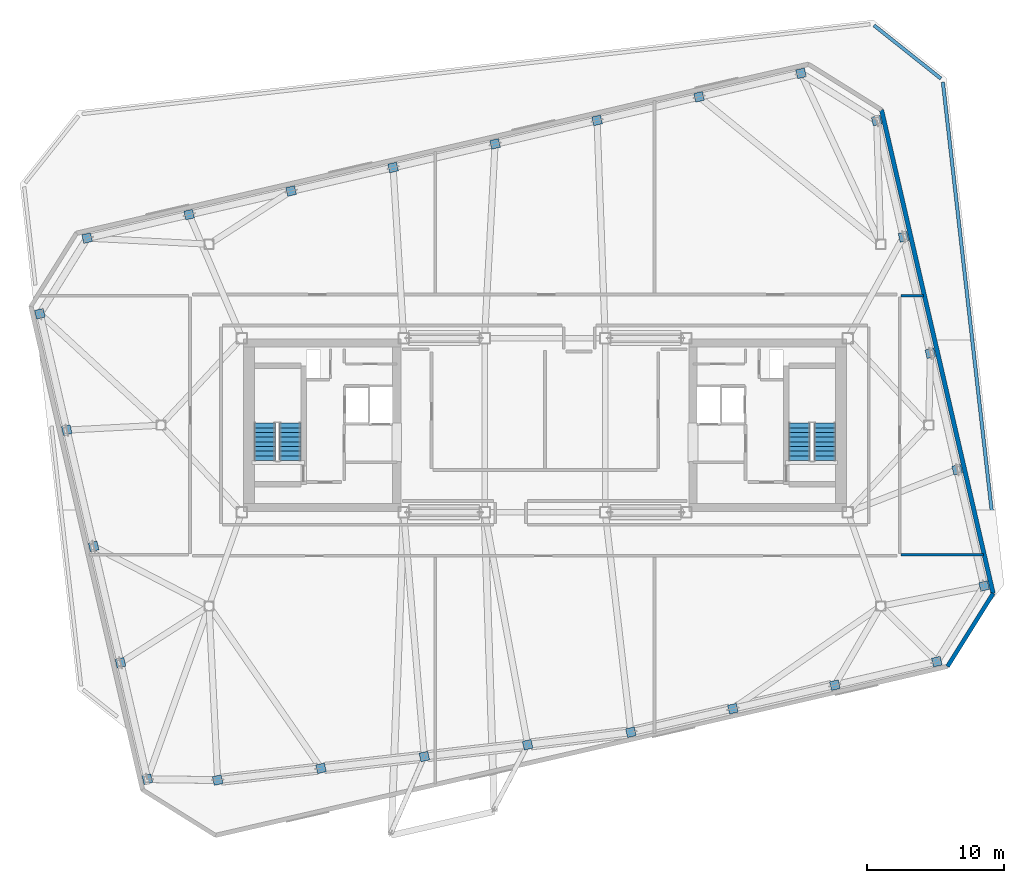
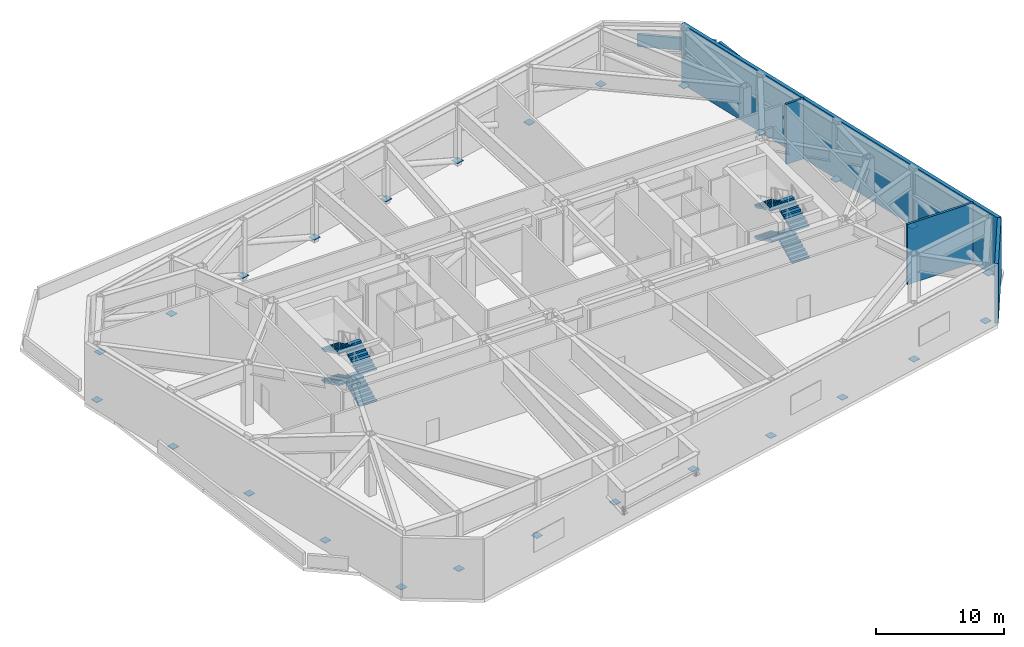
# One storey, part 9 of 15: 26 discrete accessories, 8 stair flights, 6 walls, 2 elements without a shape of their own.
"""IFC4 building model written with IfcOpenShell, lengths in metres."""

from ifc_helpers import new_model, si_unit, direction, frame, frame_2d, origin, origin_2d, place, context, subcontext, project, spatial, polyline, rectangle, outline, extrude, material, layer, layer_set, type_object, element, aggregate, save


model = new_model("IFC4")

# Units and contexts
model_context = context("Model", 3, precision=1e-05, world=origin(), true_north=direction((0.0, 1.0)))
body_context = subcontext(model_context, "Body", "Model", "MODEL_VIEW")
ifc_project = project(units=[si_unit("LENGTHUNIT", "METRE"), si_unit("AREAUNIT", "SQUARE_METRE"), si_unit("VOLUMEUNIT", "CUBIC_METRE"), si_unit("PLANEANGLEUNIT", "RADIAN"), si_unit("MASSUNIT", "GRAM", prefix="KILO")], contexts=[model_context])

# Site, building, storey
site_placement = place(None, origin())
site = spatial("IfcSite", under=ifc_project, at=site_placement, CompositionType="ELEMENT")
building_placement = place(site_placement, origin())
building = spatial("IfcBuilding", under=site, at=building_placement, Name="Tavrogorsk Clinical Tower", CompositionType="ELEMENT")
storey_placement = place(building_placement, frame((0.0, 0.0, 271.0)))
storey = spatial("IfcBuildingStorey", under=building, at=storey_placement, Name="L63", CompositionType="ELEMENT", Elevation=271.0)

# Walls
ifc_material_1 = material(Name="Concrete B60", Category="concrete")
ifc_layer_1 = layer(ifc_material_1, 0.199951171875)
ifc_layer_set_1 = layer_set([ifc_layer_1], Name="Concrete B60")
wall_type_1 = type_object("IfcWallType", Name="CoreFireWall_200", PredefinedType="SOLIDWALL", material=ifc_layer_set_1)
wall_1_placement = place(storey_placement, frame((25.985107421875, -9.449951171875, 0.0), z_axis=(0.0, 0.0, 1.0), x_axis=(1.0, 0.0, 0.0)))
element("IfcWall", 1, at=wall_1_placement, inside=storey, type_object=wall_type_1, Name="L63 Refuge & Plant Fire Wall 2", PredefinedType="SOLIDWALL", context=body_context, shape_type="SweptSolid", body=[
    extrude(rectangle(XDim=5.9970703125, YDim=0.199951171875, at=frame_2d((2.99853515625, 0.0))), origin(), (0.0, 0.0, 1.0), 5.739990234375),
])
wall_2_placement = place(storey_placement, frame((25.985107421875, 9.449951171875, 0.0), z_axis=(0.0, 0.0, 1.0), x_axis=(1.0, 0.0, 0.0)))
element("IfcWall", 2, at=wall_2_placement, inside=storey, type_object=wall_type_1, Name="L63 Refuge & Plant Fire Wall 4", PredefinedType="SOLIDWALL", context=body_context, shape_type="SweptSolid", body=[
    extrude(rectangle(XDim=1.633544921875, YDim=0.199951171875, at=frame_2d((0.81689453125, 0.0))), origin(), (0.0, 0.0, 1.0), 5.739990234375),
])
ifc_material_2 = material(Name="Precast concrete B45 acoustic plenum wall", Category="concrete")
ifc_layer_2 = layer(ifc_material_2, 0.320068359375)
ifc_layer_set_2 = layer_set([ifc_layer_2], Name="Precast concrete B45 acoustic plenum wall")
wall_type_2 = type_object("IfcWallType", Name="PlantLouvreWall_320", PredefinedType="STANDARD", material=ifc_layer_set_2)
wall_3_placement = place(storey_placement, frame((32.695556640625, -12.273681640625, 0.0), z_axis=(0.0, 0.0, 1.0), x_axis=(-0.224953091034, 0.974369594576, 0.0)))
element("IfcWall", 3, at=wall_3_placement, inside=storey, type_object=wall_type_2, Name="L63 E Pleated Limestone Wing Wall", PredefinedType="STANDARD", context=body_context, shape_type="SweptSolid", body=[
    extrude(rectangle(XDim=36.199951171875, YDim=0.320068359375, at=frame_2d((18.10009765625, 0.0))), origin(), (0.0, 0.0, 1.0), 5.739990234375),
])
ifc_material_3 = material(Name="Concrete B60", Category="concrete")
ifc_layer_3 = layer(ifc_material_3, 0.25)
ifc_layer_set_3 = layer_set([ifc_layer_3], Name="Concrete B60")
wall_type_3 = type_object("IfcWallType", Name="RoofParapetWall_250", PredefinedType="PARAPET", material=ifc_layer_set_3)
wall_4_placement = place(storey_placement, frame((24.0048828125, 29.164306640625, 0.0), z_axis=(0.0, 0.0, 1.0), x_axis=(0.782599753795, -0.622525200583, 0.0)))
element("IfcWall", 4, at=wall_4_placement, inside=storey, type_object=wall_type_3, Name="L63 Setback Coping Parapet 6", PredefinedType="PARAPET", context=body_context, shape_type="SweptSolid", body=[
    extrude(rectangle(XDim=6.236328125, YDim=0.25, at=frame_2d((3.1181640625, 0.0))), origin(), (0.0, 0.0, 1.0), 1.14990234375),
])
wall_5_placement = place(storey_placement, frame((29.02880859375, 25.0234375, 0.0), z_axis=(0.0, 0.0, 1.0), x_axis=(0.113203698449, -0.993571800454, 0.0)))
element("IfcWall", 5, at=wall_5_placement, inside=storey, type_object=wall_type_3, Name="L63 Setback Coping Parapet 7", PredefinedType="PARAPET", context=body_context, shape_type="SweptSolid", body=[
    extrude(rectangle(XDim=36.64794921875, YDim=0.25, at=frame_2d((18.323974609375, 0.0))), origin(), (0.0, 0.0, 1.0), 1.14990234375),
])
ifc_material_4 = material(Name="Precast concrete B45 with mineral wool", Category="concrete")
ifc_layer_4 = layer(ifc_material_4, 0.300048828125)
ifc_layer_set_4 = layer_set([ifc_layer_4], Name="Precast concrete B45 with mineral wool")
wall_type_4 = type_object("IfcWallType", Name="SpandrelBackWall_300", PredefinedType="STANDARD", material=ifc_layer_set_4)
wall_6_placement = place(storey_placement, frame((29.3681640625, -17.5986328125, 0.0), z_axis=(0.0, 0.0, 1.0), x_axis=(0.529918553004, 0.848048540581, 0.0)))
element("IfcWall", 6, at=wall_6_placement, inside=storey, type_object=wall_type_4, Name="L63 Chamfered Corner Wall 1", PredefinedType="STANDARD", context=body_context, shape_type="SweptSolid", body=[
    extrude(rectangle(XDim=6.279052734375, YDim=0.300048828125, at=frame_2d((3.1396484375, 0.0))), origin(), (0.0, 0.0, 1.0), 5.739990234375),
])

# Stair, stair flights
ifc_material_5 = material(Name="Concrete B60", Category="concrete")
stair_type = type_object("IfcStairType", Name="CoreStairAssembly", PredefinedType="HALF_TURN_STAIR", material=ifc_material_5)
stair_1_placement = place(storey_placement, origin())
stair_1 = element("IfcStair", 7, at=stair_1_placement, inside=storey, type_object=stair_type, Name="L63 ST-W", PredefinedType="HALF_TURN_STAIR")
ifc_material_6 = material(Name="Concrete B60", Category="concrete")
stair_flight_type = type_object("IfcStairFlightType", Name="CoreStairFlight", PredefinedType="STRAIGHT", material=ifc_material_6)
stair_flight_1_placement = place(storey_placement, frame((-18.574951171875, -2.574951171875, 0.0), z_axis=(0.0, 0.0, 1.0), x_axis=(0.0, 1.0, 0.0)))
stair_flight_1 = element("IfcStairFlight", 8, at=stair_flight_1_placement, type_object=stair_flight_type, Name="ST-W flight 1", NumberOfRisers=9, NumberOfTreads=8, PredefinedType="STRAIGHT", RiserHeight=0.166666667, TreadLength=0.34, context=body_context, shape_type="SweptSolid", body=[
    extrude(outline(polyline([(0.0, 0.0), (0.0, 0.166748046875), (0.340087890625, 0.166748046875), (0.340087890625, 0.333251953125), (0.679931640625, 0.333251953125), (0.679931640625, 0.5), (1.02001953125, 0.5), (1.02001953125, 0.666748046875), (1.360107421875, 0.666748046875), (1.360107421875, 0.833251953125), (1.699951171875, 0.833251953125), (1.699951171875, 1.0), (2.0400390625, 1.0), (2.0400390625, 1.166748046875), (2.3798828125, 1.166748046875), (2.3798828125, 1.333251953125), (2.719970703125, 1.333251953125), (2.719970703125, 1.5), (2.719970703125, 1.16650390625), (0.340576171875, 0.0), (0.0, 0.0)])), frame((0.0, 0.77490234375, 0.0), z_axis=(0.0, -1.0, 0.0), x_axis=(1.0, 0.0, 0.0)), (0.0, 0.0, 1.0), 1.550048828125),
])
stair_flight_2_placement = place(storey_placement, frame((-20.425048828125, 0.14501953125, 1.5), z_axis=(0.0, 0.0, 1.0), x_axis=(0.0, -1.0, 0.0)))
stair_flight_2 = element("IfcStairFlight", 9, at=stair_flight_2_placement, type_object=stair_flight_type, Name="ST-W flight 2", NumberOfRisers=9, NumberOfTreads=8, PredefinedType="STRAIGHT", RiserHeight=0.166666667, TreadLength=0.34, context=body_context, shape_type="SweptSolid", body=[
    extrude(outline(polyline([(0.0, 0.0), (0.0, 0.166748046875), (0.340087890625, 0.166748046875), (0.340087890625, 0.333251953125), (0.679931640625, 0.333251953125), (0.679931640625, 0.5), (1.02001953125, 0.5), (1.02001953125, 0.666748046875), (1.360107421875, 0.666748046875), (1.360107421875, 0.833251953125), (1.699951171875, 0.833251953125), (1.699951171875, 1.0), (2.0400390625, 1.0), (2.0400390625, 1.166748046875), (2.3798828125, 1.166748046875), (2.3798828125, 1.333251953125), (2.719970703125, 1.333251953125), (2.719970703125, 1.5), (2.719970703125, 1.16650390625), (0.340576171875, 0.0), (0.0, 0.0)])), frame((0.0, 0.77490234375, 0.0), z_axis=(0.0, -1.0, 0.0), x_axis=(1.0, 0.0, 0.0)), (0.0, 0.0, 1.0), 1.550048828125),
])
stair_flight_3_placement = place(storey_placement, frame((-18.574951171875, -2.574951171875, 3.0), z_axis=(0.0, 0.0, 1.0), x_axis=(0.0, 1.0, 0.0)))
stair_flight_3 = element("IfcStairFlight", 10, at=stair_flight_3_placement, type_object=stair_flight_type, Name="ST-W flight 3", NumberOfRisers=9, NumberOfTreads=8, PredefinedType="STRAIGHT", RiserHeight=0.166666667, TreadLength=0.34, context=body_context, shape_type="SweptSolid", body=[
    extrude(outline(polyline([(0.0, 0.0), (0.0, 0.166748046875), (0.340087890625, 0.166748046875), (0.340087890625, 0.333251953125), (0.679931640625, 0.333251953125), (0.679931640625, 0.5), (1.02001953125, 0.5), (1.02001953125, 0.666748046875), (1.360107421875, 0.666748046875), (1.360107421875, 0.833251953125), (1.699951171875, 0.833251953125), (1.699951171875, 1.0), (2.0400390625, 1.0), (2.0400390625, 1.166748046875), (2.3798828125, 1.166748046875), (2.3798828125, 1.333251953125), (2.719970703125, 1.333251953125), (2.719970703125, 1.5), (2.719970703125, 1.16650390625), (0.340576171875, 0.0), (0.0, 0.0)])), frame((0.0, 0.77490234375, 0.0), z_axis=(0.0, -1.0, 0.0), x_axis=(1.0, 0.0, 0.0)), (0.0, 0.0, 1.0), 1.550048828125),
])
stair_flight_4_placement = place(storey_placement, frame((-20.425048828125, 0.14501953125, 4.5), z_axis=(0.0, 0.0, 1.0), x_axis=(0.0, -1.0, 0.0)))
stair_flight_4 = element("IfcStairFlight", 11, at=stair_flight_4_placement, type_object=stair_flight_type, Name="ST-W flight 4", NumberOfRisers=9, NumberOfTreads=8, PredefinedType="STRAIGHT", RiserHeight=0.166666667, TreadLength=0.34, context=body_context, shape_type="SweptSolid", body=[
    extrude(outline(polyline([(0.0, 0.0), (0.0, 0.166748046875), (0.340087890625, 0.166748046875), (0.340087890625, 0.333251953125), (0.679931640625, 0.333251953125), (0.679931640625, 0.5), (1.02001953125, 0.5), (1.02001953125, 0.666748046875), (1.360107421875, 0.666748046875), (1.360107421875, 0.833251953125), (1.699951171875, 0.833251953125), (1.699951171875, 1.0), (2.0400390625, 1.0), (2.0400390625, 1.166748046875), (2.3798828125, 1.166748046875), (2.3798828125, 1.333251953125), (2.719970703125, 1.333251953125), (2.719970703125, 1.5), (2.719970703125, 1.16650390625), (0.340576171875, 0.0), (0.0, 0.0)])), frame((0.0, 0.77490234375, 0.0), z_axis=(0.0, -1.0, 0.0), x_axis=(1.0, 0.0, 0.0)), (0.0, 0.0, 1.0), 1.550048828125),
])
aggregate(stair_1, [stair_flight_1, stair_flight_2, stair_flight_3, stair_flight_4])

stair_2_placement = place(storey_placement, origin())
stair_2 = element("IfcStair", 12, at=stair_2_placement, inside=storey, type_object=stair_type, Name="L63 ST-E", PredefinedType="HALF_TURN_STAIR")
stair_flight_5_placement = place(storey_placement, frame((20.425048828125, -2.574951171875, 0.0), z_axis=(0.0, 0.0, 1.0), x_axis=(0.0, 1.0, 0.0)))
stair_flight_5 = element("IfcStairFlight", 13, at=stair_flight_5_placement, type_object=stair_flight_type, Name="ST-E flight 1", NumberOfRisers=9, NumberOfTreads=8, PredefinedType="STRAIGHT", RiserHeight=0.166666667, TreadLength=0.34, context=body_context, shape_type="SweptSolid", body=[
    extrude(outline(polyline([(0.0, 0.0), (0.0, 0.166748046875), (0.340087890625, 0.166748046875), (0.340087890625, 0.333251953125), (0.679931640625, 0.333251953125), (0.679931640625, 0.5), (1.02001953125, 0.5), (1.02001953125, 0.666748046875), (1.360107421875, 0.666748046875), (1.360107421875, 0.833251953125), (1.699951171875, 0.833251953125), (1.699951171875, 1.0), (2.0400390625, 1.0), (2.0400390625, 1.166748046875), (2.3798828125, 1.166748046875), (2.3798828125, 1.333251953125), (2.719970703125, 1.333251953125), (2.719970703125, 1.5), (2.719970703125, 1.16650390625), (0.340576171875, 0.0), (0.0, 0.0)])), frame((0.0, 0.77490234375, 0.0), z_axis=(0.0, -1.0, 0.0), x_axis=(1.0, 0.0, 0.0)), (0.0, 0.0, 1.0), 1.550048828125),
])
stair_flight_6_placement = place(storey_placement, frame((18.574951171875, 0.14501953125, 1.5), z_axis=(0.0, 0.0, 1.0), x_axis=(0.0, -1.0, 0.0)))
stair_flight_6 = element("IfcStairFlight", 14, at=stair_flight_6_placement, type_object=stair_flight_type, Name="ST-E flight 2", NumberOfRisers=9, NumberOfTreads=8, PredefinedType="STRAIGHT", RiserHeight=0.166666667, TreadLength=0.34, context=body_context, shape_type="SweptSolid", body=[
    extrude(outline(polyline([(0.0, 0.0), (0.0, 0.166748046875), (0.340087890625, 0.166748046875), (0.340087890625, 0.333251953125), (0.679931640625, 0.333251953125), (0.679931640625, 0.5), (1.02001953125, 0.5), (1.02001953125, 0.666748046875), (1.360107421875, 0.666748046875), (1.360107421875, 0.833251953125), (1.699951171875, 0.833251953125), (1.699951171875, 1.0), (2.0400390625, 1.0), (2.0400390625, 1.166748046875), (2.3798828125, 1.166748046875), (2.3798828125, 1.333251953125), (2.719970703125, 1.333251953125), (2.719970703125, 1.5), (2.719970703125, 1.16650390625), (0.340576171875, 0.0), (0.0, 0.0)])), frame((0.0, 0.77490234375, 0.0), z_axis=(0.0, -1.0, 0.0), x_axis=(1.0, 0.0, 0.0)), (0.0, 0.0, 1.0), 1.550048828125),
])
stair_flight_7_placement = place(storey_placement, frame((20.425048828125, -2.574951171875, 3.0), z_axis=(0.0, 0.0, 1.0), x_axis=(0.0, 1.0, 0.0)))
stair_flight_7 = element("IfcStairFlight", 15, at=stair_flight_7_placement, type_object=stair_flight_type, Name="ST-E flight 3", NumberOfRisers=9, NumberOfTreads=8, PredefinedType="STRAIGHT", RiserHeight=0.166666667, TreadLength=0.34, context=body_context, shape_type="SweptSolid", body=[
    extrude(outline(polyline([(0.0, 0.0), (0.0, 0.166748046875), (0.340087890625, 0.166748046875), (0.340087890625, 0.333251953125), (0.679931640625, 0.333251953125), (0.679931640625, 0.5), (1.02001953125, 0.5), (1.02001953125, 0.666748046875), (1.360107421875, 0.666748046875), (1.360107421875, 0.833251953125), (1.699951171875, 0.833251953125), (1.699951171875, 1.0), (2.0400390625, 1.0), (2.0400390625, 1.166748046875), (2.3798828125, 1.166748046875), (2.3798828125, 1.333251953125), (2.719970703125, 1.333251953125), (2.719970703125, 1.5), (2.719970703125, 1.16650390625), (0.340576171875, 0.0), (0.0, 0.0)])), frame((0.0, 0.77490234375, 0.0), z_axis=(0.0, -1.0, 0.0), x_axis=(1.0, 0.0, 0.0)), (0.0, 0.0, 1.0), 1.550048828125),
])
stair_flight_8_placement = place(storey_placement, frame((18.574951171875, 0.14501953125, 4.5), z_axis=(0.0, 0.0, 1.0), x_axis=(0.0, -1.0, 0.0)))
stair_flight_8 = element("IfcStairFlight", 16, at=stair_flight_8_placement, type_object=stair_flight_type, Name="ST-E flight 4", NumberOfRisers=9, NumberOfTreads=8, PredefinedType="STRAIGHT", RiserHeight=0.166666667, TreadLength=0.34, context=body_context, shape_type="SweptSolid", body=[
    extrude(outline(polyline([(0.0, 0.0), (0.0, 0.166748046875), (0.340087890625, 0.166748046875), (0.340087890625, 0.333251953125), (0.679931640625, 0.333251953125), (0.679931640625, 0.5), (1.02001953125, 0.5), (1.02001953125, 0.666748046875), (1.360107421875, 0.666748046875), (1.360107421875, 0.833251953125), (1.699951171875, 0.833251953125), (1.699951171875, 1.0), (2.0400390625, 1.0), (2.0400390625, 1.166748046875), (2.3798828125, 1.166748046875), (2.3798828125, 1.333251953125), (2.719970703125, 1.333251953125), (2.719970703125, 1.5), (2.719970703125, 1.16650390625), (0.340576171875, 0.0), (0.0, 0.0)])), frame((0.0, 0.77490234375, 0.0), z_axis=(0.0, -1.0, 0.0), x_axis=(1.0, 0.0, 0.0)), (0.0, 0.0, 1.0), 1.550048828125),
])
aggregate(stair_2, [stair_flight_5, stair_flight_6, stair_flight_7, stair_flight_8])

# Discrete accessories
ifc_material_7 = material(Name="Structural steel S440", Category="steel")
discrete_accessory_type = type_object("IfcDiscreteAccessoryType", Name="TrussEndCapBracket", PredefinedType="BRACKET", material=ifc_material_7)
for number, where, z_axis, x_axis, name in (
    (17, (-23.866943359375, -25.8857421875, 0.330078125), (0.0, 0.0, 1.0), (0.974370064785, 0.224951054344, 0.0), "L63 Hollow Node End Cap S1"),
    (18, (-16.330322265625, -25.027099609375, 0.330078125), (0.0, 0.0, 1.0), (0.974370064785, 0.224951054344, 0.0), "L63 Hollow Node End Cap S2"),
    (19, (-8.7939453125, -24.16845703125, 0.330078125), (0.0, 0.0, 1.0), (0.974370064785, 0.224951054344, 0.0), "L63 Hollow Node End Cap S3"),
    (20, (-1.257568359375, -23.309814453125, 0.330078125), (0.0, 0.0, 1.0), (0.974370064785, 0.224951054344, 0.0), "L63 Hollow Node End Cap S4"),
    (21, (6.272705078125, -22.39697265625, 0.330078125), (0.0, 0.0, 1.0), (0.974370064785, 0.224951054344, 0.0), "L63 Hollow Node End Cap S5"),
    (22, (13.711181640625, -20.6796875, 0.330078125), (0.0, 0.0, 1.0), (0.974370064785, 0.224951054344, 0.0), "L63 Hollow Node End Cap S6"),
    (23, (21.14990234375, -18.96240234375, 0.330078125), (0.0, 0.0, 1.0), (0.974370064785, 0.224951054344, 0.0), "L63 Hollow Node End Cap S7"),
    (24, (28.588623046875, -17.244873046875, 0.330078125), (0.0, 0.0, 1.0), (0.974370064785, 0.224951054344, 0.0), "L63 Hollow Node End Cap S8"),
    (25, (32.035888671875, -11.72802734375, 0.330078125), (0.0, 0.0, 1.0), (0.974370064785, 0.224951054344, 0.0), "L63 Hollow Node End Cap E1"),
    (26, (30.07666015625, -3.2412109375, 0.330078125), (0.0, 0.0, 1.0), (0.974370064785, 0.224951054344, 0.0), "L63 Hollow Node End Cap E2"),
    (27, (28.1171875, 5.24560546875, 0.330078125), (0.0, 0.0, 1.0), (0.974370064785, 0.224951054344, 0.0), "L63 Hollow Node End Cap E3"),
    (28, (26.157958984375, 13.732177734375, 0.330078125), (0.0, 0.0, 1.0), (0.974370064785, 0.224951054344, 0.0), "L63 Hollow Node End Cap E4"),
    (29, (24.198486328125, 22.218994140625, 0.330078125), (0.0, 0.0, 1.0), (0.974370064785, 0.224951054344, 0.0), "L63 Hollow Node End Cap E5"),
    (30, (18.681640625, 25.666259765625, 0.330078125), (0.0, 0.0, 1.0), (0.974370064785, 0.224951054344, 0.0), "L63 Hollow Node End Cap N1"),
    (31, (11.2431640625, 23.948974609375, 0.330078125), (0.0, 0.0, 1.0), (0.974370064785, 0.224951054344, 0.0), "L63 Hollow Node End Cap N2"),
    (32, (3.804443359375, 22.231689453125, 0.330078125), (0.0, 0.0, 1.0), (0.974370064785, 0.224951054344, 0.0), "L63 Hollow Node End Cap N3"),
    (33, (-3.63427734375, 20.514404296875, 0.330078125), (0.0, 0.0, 1.0), (0.974370064785, 0.224951054344, 0.0), "L63 Hollow Node End Cap N4"),
    (34, (-11.07275390625, 18.797119140625, 0.330078125), (0.0, 0.0, 1.0), (0.974370064785, 0.224951054344, 0.0), "L63 Hollow Node End Cap N5"),
    (35, (-18.51123046875, 17.07958984375, 0.330078125), (0.0, 0.0, 1.0), (0.974370064785, 0.224951054344, 0.0), "L63 Hollow Node End Cap N6"),
    (36, (-25.949951171875, 15.3623046875, 0.330078125), (0.0, 0.0, 1.0), (0.974370064785, 0.224951054344, 0.0), "L63 Hollow Node End Cap N7"),
    (37, (-33.388671875, 13.64501953125, 0.330078125), (0.0, 0.0, 1.0), (0.974370064785, 0.224951054344, 0.0), "L63 Hollow Node End Cap N8"),
    (38, (-36.8359375, 8.128173828125, 0.330078125), (0.0, 0.0, 1.0), (0.974370064785, 0.224951054344, 0.0), "L63 Hollow Node End Cap W1"),
    (39, (-34.876708984375, -0.358642578125, 0.330078125), (0.0, 0.0, 1.0), (0.974370064785, 0.224951054344, 0.0), "L63 Hollow Node End Cap W2"),
    (40, (-32.917236328125, -8.845458984375, 0.330078125), (0.0, 0.0, 1.0), (0.974370064785, 0.224951054344, 0.0), "L63 Hollow Node End Cap W3"),
    (41, (-30.9580078125, -17.332275390625, 0.330078125), (0.0, 0.0, 1.0), (0.974370064785, 0.224951054344, 0.0), "L63 Hollow Node End Cap W4"),
    (42, (-28.99853515625, -25.819091796875, 0.330078125), (0.0, 0.0, 1.0), (0.974370064785, 0.224951054344, 0.0), "L63 Hollow Node End Cap W5"),
):
    element("IfcDiscreteAccessory", number, at=place(storey_placement, frame(where, z_axis=z_axis, x_axis=x_axis)), inside=storey, type_object=discrete_accessory_type, Name=name, PredefinedType="BRACKET", context=body_context, shape_type="SweptSolid", body=[
        extrude(rectangle(XDim=0.64990234375, YDim=0.64990234375, at=origin_2d()), origin(), (0.0, 0.0, 1.0), 0.0400390625),
    ])

save(model, "model.ifc")
